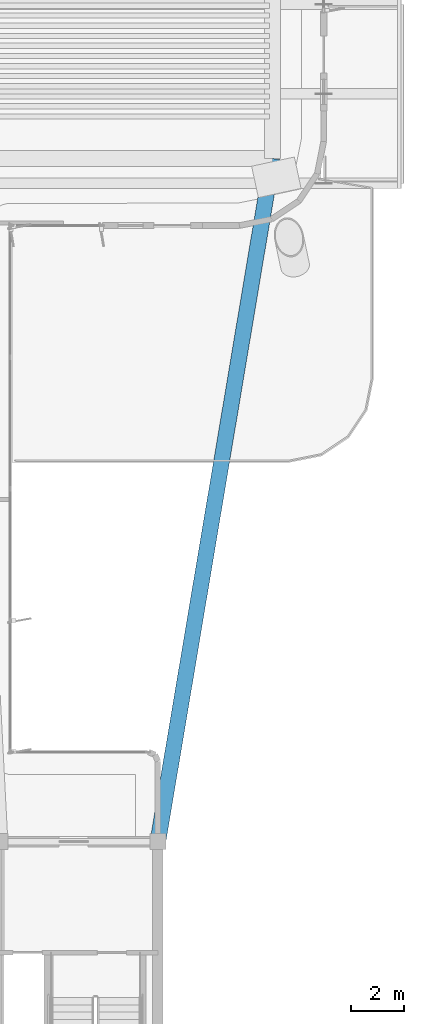
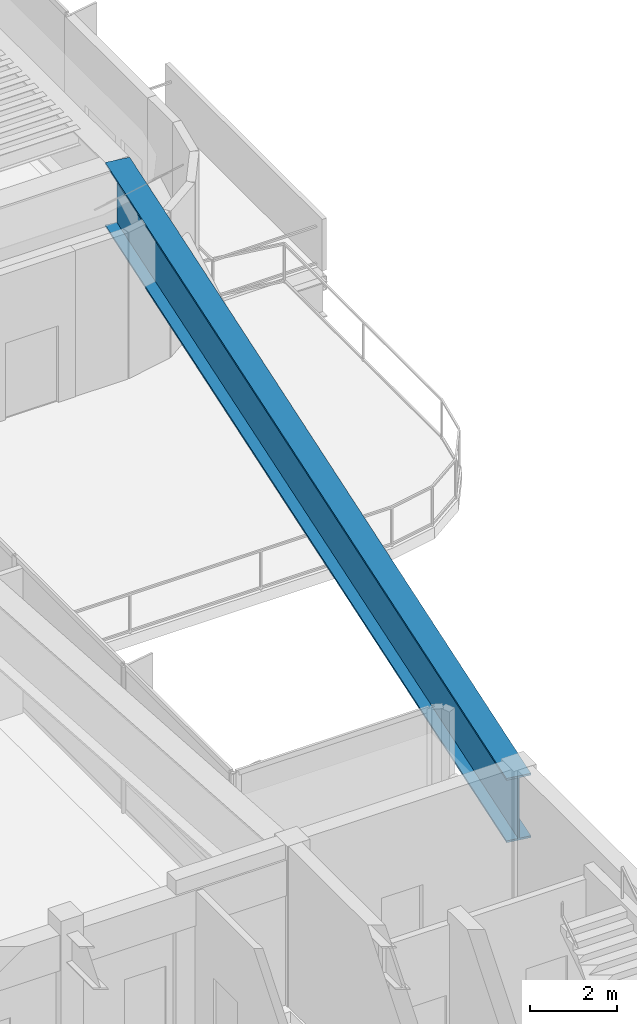
# One storey, part 4 of 16: 1 beam.
"""IFC4 building model written with IfcOpenShell, lengths in metres."""

import ifcopenshell
import ifcopenshell.guid

model = None  # the IFC model being written
_history = None  # IfcOwnerHistory: only IFC2X3 demands one
_inside = {}  # id of a spatial element -> (the spatial element, [elements in it])
_under = {}  # id of a project, library or spatial element -> (it, [spatial elements below it])
_declared = {}  # id of a project -> (the project, [libraries it declares])
_typed = {}  # id of a type object -> (the type object, [elements of that type])
_made_of = {}  # id of a material, layer set ... -> (it, [elements and type objects made of it])


def new_model(schema):
    """Start an empty IFC model of exactly this schema.

    Asked for "IFC4X3", IfcOpenShell would pick the latest addendum, in which some entities
    have other attributes; the version numbers below select the first issue.
    IFC2X3 requires an IfcOwnerHistory on every rooted entity: one is made here for all.
    """
    global model, _history
    if schema == "IFC4X3":
        model = ifcopenshell.file(schema_version=(4, 3, 0, 0))
    else:
        model = ifcopenshell.file(schema=schema)
    _inside.clear()
    _under.clear()
    _declared.clear()
    _typed.clear()
    _made_of.clear()
    _history = None
    if model.schema == "IFC2X3":
        org = make("IfcOrganization", Name="unknown")
        user = make(
            "IfcPersonAndOrganization",
            ThePerson=make("IfcPerson", FamilyName="unknown"),
            TheOrganization=org,
        )
        app = make(
            "IfcApplication",
            ApplicationDeveloper=org,
            Version="unknown",
            ApplicationFullName="unknown",
            ApplicationIdentifier="unknown",
        )
        _history = make(
            "IfcOwnerHistory",
            OwningUser=user,
            OwningApplication=app,
            ChangeAction="ADDED",
            CreationDate=0,
        )
    return model


def make(cls, **values):
    """One entity of the class cls with the attributes given. An attribute that is None is left unset."""
    return model.create_entity(
        cls, **{name: value for name, value in values.items() if value is not None}
    )


def rooted(cls, **values):
    """An entity with a GlobalId (a new one), such as an element, a storey or a relation."""
    return make(cls, GlobalId=ifcopenshell.guid.new(), OwnerHistory=_history, **values)


def si_unit(unit_type, name, prefix=None):
    """IfcSIUnit, for example si_unit("LENGTHUNIT", "METRE", prefix="MILLI")."""
    return make("IfcSIUnit", UnitType=unit_type, Prefix=prefix, Name=name)


def assignment(units):
    """IfcUnitAssignment: the units of a project."""
    return None if units is None else make("IfcUnitAssignment", Units=units)


def point(xyz):
    """IfcCartesianPoint."""
    return None if xyz is None else make("IfcCartesianPoint", Coordinates=xyz)


def direction(xyz):
    """IfcDirection."""
    return None if xyz is None else make("IfcDirection", DirectionRatios=xyz)


def frame(location, z_axis=None, x_axis=None):
    """IfcAxis2Placement3D, a coordinate frame: its origin and axes. An axis left out is left unset."""
    return make(
        "IfcAxis2Placement3D",
        Location=point(location),
        Axis=direction(z_axis),
        RefDirection=direction(x_axis),
    )


def frame_2d(location, x_axis=None):
    """IfcAxis2Placement2D, a coordinate frame in the plane: its origin and x axis."""
    return make(
        "IfcAxis2Placement2D", Location=point(location), RefDirection=direction(x_axis)
    )


def origin():
    """The frame at (0, 0, 0) with its axes left unset."""
    return frame((0.0, 0.0, 0.0))


def origin_2d():
    """The frame at (0, 0) in the plane with its x axis left unset."""
    return frame_2d((0.0, 0.0))


def place(relative_to, where):
    """IfcLocalPlacement: puts the frame where relative to a parent placement (None: the world)."""
    return make(
        "IfcLocalPlacement", PlacementRelTo=relative_to, RelativePlacement=where
    )


def context(
    kind, dimensions, precision=None, world=None, true_north=None, identifier=None
):
    """IfcGeometricRepresentationContext, for example the 3D "Model" context."""
    return make(
        "IfcGeometricRepresentationContext",
        ContextIdentifier=identifier,
        ContextType=kind,
        CoordinateSpaceDimension=dimensions,
        Precision=precision,
        WorldCoordinateSystem=world,
        TrueNorth=true_north,
    )


def subcontext(parent, identifier, kind, view, scale=None):
    """IfcGeometricRepresentationSubContext, for example "Body" below "Model"."""
    return make(
        "IfcGeometricRepresentationSubContext",
        ContextIdentifier=identifier,
        ContextType=kind,
        ParentContext=parent,
        TargetScale=scale,
        TargetView=view,
    )


def project(units=None, contexts=None):
    """IfcProject with its units and contexts."""
    return rooted(
        "IfcProject",
        Name="project",
        RepresentationContexts=contexts,
        UnitsInContext=assignment(units),
    )


def spatial(cls, under=None, at=None, **own):
    """A site, building, storey or space (cls), placed at a placement, below another one or the project."""
    s = rooted(cls, ObjectPlacement=at, **own)
    if under is not None:
        _under.setdefault(under.id(), (under, []))[1].append(s)
    return s


def profile(cls, at=None, kind="AREA", **sizes):
    """A parametric profile (cls). Its sizes go by their IFC names, for example OverallWidth=200.0."""
    return make(cls, ProfileType=kind, Position=at, **sizes)


def i_section(**sizes):
    """IfcIShapeProfileDef."""
    return profile("IfcIShapeProfileDef", **sizes)


def extrude(swept, where, along, depth):
    """IfcExtrudedAreaSolid: the profile swept, set in the frame where, extruded along a direction by depth."""
    return make(
        "IfcExtrudedAreaSolid",
        SweptArea=swept,
        Position=where,
        ExtrudedDirection=direction(along),
        Depth=depth,
    )


def shape(context_of_items, identifier, shape_type, items):
    """IfcShapeRepresentation: the items that make up one representation, for example the "Body"."""
    return make(
        "IfcShapeRepresentation",
        ContextOfItems=context_of_items,
        RepresentationIdentifier=identifier,
        RepresentationType=shape_type,
        Items=items,
    )


def source(mapping_origin, context_of_items, identifier, shape_type, items):
    """IfcRepresentationMap: a shape defined once, which mapped items show again and again."""
    return make(
        "IfcRepresentationMap",
        MappingOrigin=mapping_origin,
        MappedRepresentation=shape(context_of_items, identifier, shape_type, items),
    )


def transform(
    local_origin,
    x_axis=None,
    y_axis=None,
    z_axis=None,
    scale=None,
    scale2=None,
    scale3=None,
    uniform=True,
):
    """IfcCartesianTransformationOperator3D, or its non-uniform kind. x_axis, y_axis, z_axis: its Axis1, 2, 3."""
    if uniform:
        return make(
            "IfcCartesianTransformationOperator3D",
            Axis1=direction(x_axis),
            Axis2=direction(y_axis),
            LocalOrigin=point(local_origin),
            Scale=scale,
            Axis3=direction(z_axis),
        )
    return make(
        "IfcCartesianTransformationOperator3DnonUniform",
        Axis1=direction(x_axis),
        Axis2=direction(y_axis),
        LocalOrigin=point(local_origin),
        Scale=scale,
        Axis3=direction(z_axis),
        Scale2=scale2,
        Scale3=scale3,
    )


def mapped(mapping_source, mapping_target):
    """IfcMappedItem: shows the shape of a source again, moved by a transform."""
    return make(
        "IfcMappedItem", MappingSource=mapping_source, MappingTarget=mapping_target
    )


def material(Name=None, Category=None):
    """IfcMaterial."""
    return make("IfcMaterial", Name=Name, Category=Category)


def material_profile(
    of_material, cross_section, Name=None, Category=None, Priority=None
):
    """IfcMaterialProfile: a cross section and its material."""
    return make(
        "IfcMaterialProfile",
        Name=Name,
        Material=of_material,
        Profile=cross_section,
        Priority=Priority,
        Category=Category,
    )


def profile_set(profiles, Name=None, composite=None):
    """IfcMaterialProfileSet."""
    return make(
        "IfcMaterialProfileSet",
        Name=Name,
        MaterialProfiles=profiles,
        CompositeProfile=composite,
    )


def made_of(thing, what):
    """Note that an element or type object is made of a material, layer set ...; save() writes the relation."""
    if what is not None:
        _made_of.setdefault(what.id(), (what, []))[1].append(thing)
    return thing


def type_object(cls, material=None, **own):
    """A type object (cls), such as IfcWallType, which elements share."""
    return made_of(rooted(cls, **own), material)


def element(
    cls,
    number,
    at=None,
    inside=None,
    cuts=None,
    type_object=None,
    material=None,
    context=None,
    identifier="Body",
    shape_type=None,
    held_by="IfcProductDefinitionShape",
    body=None,
    shapes=None,
    **own,
):
    """One element of the class cls, such as IfcWall. Its Tag is "e" and its number.

    at: its placement. inside: the storey or other place that contains it. cuts: it is an
    opening in that element (IfcRelVoidsElement). A single representation is given by context,
    identifier, shape_type and body (its items); several are given by shapes. held_by: the class
    of the entity that holds the representations. save() writes the other relations.
    """
    e = rooted(cls, Tag="e%d" % number, ObjectPlacement=at, **own)
    if body is not None:
        shapes = [shape(context, identifier, shape_type, body)]
    if shapes is not None:
        e.Representation = make(held_by, Representations=shapes)
    if inside is not None:
        _inside.setdefault(inside.id(), (inside, []))[1].append(e)
    if cuts is not None:
        rooted(
            "IfcRelVoidsElement", RelatingBuildingElement=cuts, RelatedOpeningElement=e
        )
    if type_object is not None:
        _typed.setdefault(type_object.id(), (type_object, []))[1].append(e)
    return made_of(e, material)


def aggregate(whole, parts):
    """IfcRelAggregates: a whole, such as a stair, and the parts it consists of."""
    return rooted("IfcRelAggregates", RelatingObject=whole, RelatedObjects=parts)


def save(model, path):
    """Write the relations noted so far, then the file.

    IfcRelAggregates (storeys below a building ...), IfcRelContainedInSpatialStructure (elements
    in a storey), IfcRelDefinesByType, IfcRelAssociatesMaterial and IfcRelDeclares: one each for
    every whole, place, type object, material and project.
    """
    for whole, parts in _under.values():
        aggregate(whole, parts)
    for where, things in _inside.values():
        rooted(
            "IfcRelContainedInSpatialStructure",
            RelatedElements=things,
            RelatingStructure=where,
        )
    for kind, things in _typed.values():
        rooted("IfcRelDefinesByType", RelatedObjects=things, RelatingType=kind)
    for what, things in _made_of.values():
        rooted("IfcRelAssociatesMaterial", RelatedObjects=things, RelatingMaterial=what)
    for by, libraries in _declared.values():
        rooted("IfcRelDeclares", RelatingContext=by, RelatedDefinitions=libraries)
    model.write(path)


model = new_model("IFC4")

# Units and contexts
model_context = context("Model", 3, precision=1e-05, world=origin(), true_north=direction((0.0, 1.0)))
body_context = subcontext(model_context, "Body", "Model", "MODEL_VIEW")
ifc_project = project(units=[si_unit("LENGTHUNIT", "METRE"), si_unit("AREAUNIT", "SQUARE_METRE"), si_unit("VOLUMEUNIT", "CUBIC_METRE"), si_unit("PLANEANGLEUNIT", "RADIAN"), si_unit("MASSUNIT", "GRAM", prefix="KILO")], contexts=[model_context])

# Site, building, storey
site_placement = place(None, origin())
site = spatial("IfcSite", under=ifc_project, at=site_placement, CompositionType="ELEMENT")
building_placement = place(site_placement, origin())
building = spatial("IfcBuilding", under=site, at=building_placement, Name="Brelvock Crest Care Tower", CompositionType="ELEMENT")
storey_placement = place(building_placement, frame((0.0, 0.0, 218.52001953125)))
storey = spatial("IfcBuildingStorey", under=building, at=storey_placement, Name="L55", CompositionType="ELEMENT", Elevation=218.52001953125)

# Beam
ifc_material = material(Name="Steel Grade 350", Category="steel")
ifc_material_profile = material_profile(ifc_material, i_section(OverallWidth=0.60009765625, OverallDepth=1.800048828125, WebThickness=0.028076171875, FlangeThickness=0.052001953125, at=origin_2d()), Name="1800TG740")
ifc_profile_set = profile_set([ifc_material_profile], Name="Steel Grade 350")
beam_type = type_object("IfcBeamType", Name="BM-TG1", PredefinedType="USERDEFINED", material=ifc_profile_set)
shared_shape = source(origin(), body_context, "Body", "SweptSolid", [
    extrude(i_section(OverallWidth=0.60009765625, OverallDepth=1.800048828125, WebThickness=0.028076171875, FlangeThickness=0.052001953125, at=origin_2d()), origin(), (0.0, 0.0, 1.0), 26.31201171875),
])
beam_placement = place(storey_placement, frame((48.0, 18.0, 3.19189453125), z_axis=(0.165327282709, 0.986238758918, 0.0), x_axis=(-0.986238758918, 0.165327282709, 0.0)))
element("IfcBeam", 1, at=beam_placement, inside=storey, type_object=beam_type, Name="BM-THRO-E-L55", ObjectType="GIRDER", PredefinedType="USERDEFINED", context=body_context, shape_type="MappedRepresentation", body=[
    mapped(shared_shape, transform((0.0, 0.0, 0.0), x_axis=(1.0, 0.0, 0.0), y_axis=(0.0, 1.0, 0.0), z_axis=(0.0, 0.0, 1.0), scale=1.0)),
])

save(model, "model.ifc")
